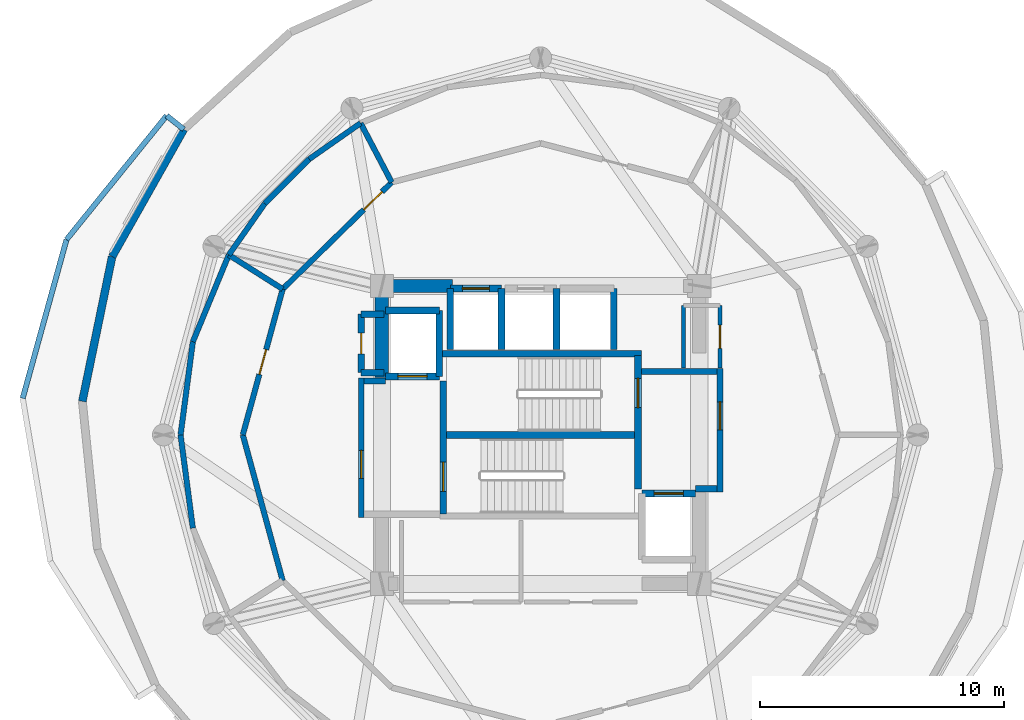
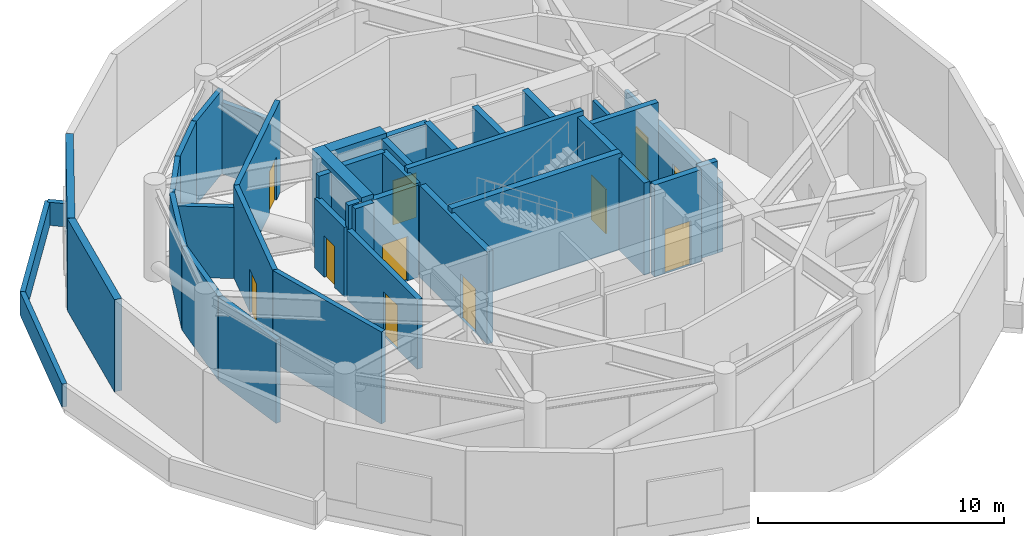
# One storey, part 3 of 7: 41 walls, 11 doors, 11 openings.
"""IFC4 building model written with IfcOpenShell, lengths in metres."""

import ifcopenshell
import ifcopenshell.guid

model = None  # the IFC model being written
_history = None  # IfcOwnerHistory: only IFC2X3 demands one
_inside = {}  # id of a spatial element -> (the spatial element, [elements in it])
_under = {}  # id of a project, library or spatial element -> (it, [spatial elements below it])
_declared = {}  # id of a project -> (the project, [libraries it declares])
_typed = {}  # id of a type object -> (the type object, [elements of that type])
_made_of = {}  # id of a material, layer set ... -> (it, [elements and type objects made of it])


def new_model(schema):
    """Start an empty IFC model of exactly this schema.

    Asked for "IFC4X3", IfcOpenShell would pick the latest addendum, in which some entities
    have other attributes; the version numbers below select the first issue.
    IFC2X3 requires an IfcOwnerHistory on every rooted entity: one is made here for all.
    """
    global model, _history
    if schema == "IFC4X3":
        model = ifcopenshell.file(schema_version=(4, 3, 0, 0))
    else:
        model = ifcopenshell.file(schema=schema)
    _inside.clear()
    _under.clear()
    _declared.clear()
    _typed.clear()
    _made_of.clear()
    _history = None
    if model.schema == "IFC2X3":
        org = make("IfcOrganization", Name="unknown")
        user = make(
            "IfcPersonAndOrganization",
            ThePerson=make("IfcPerson", FamilyName="unknown"),
            TheOrganization=org,
        )
        app = make(
            "IfcApplication",
            ApplicationDeveloper=org,
            Version="unknown",
            ApplicationFullName="unknown",
            ApplicationIdentifier="unknown",
        )
        _history = make(
            "IfcOwnerHistory",
            OwningUser=user,
            OwningApplication=app,
            ChangeAction="ADDED",
            CreationDate=0,
        )
    return model


def make(cls, **values):
    """One entity of the class cls with the attributes given. An attribute that is None is left unset."""
    return model.create_entity(
        cls, **{name: value for name, value in values.items() if value is not None}
    )


def rooted(cls, **values):
    """An entity with a GlobalId (a new one), such as an element, a storey or a relation."""
    return make(cls, GlobalId=ifcopenshell.guid.new(), OwnerHistory=_history, **values)


def si_unit(unit_type, name, prefix=None):
    """IfcSIUnit, for example si_unit("LENGTHUNIT", "METRE", prefix="MILLI")."""
    return make("IfcSIUnit", UnitType=unit_type, Prefix=prefix, Name=name)


def assignment(units):
    """IfcUnitAssignment: the units of a project."""
    return None if units is None else make("IfcUnitAssignment", Units=units)


def point(xyz):
    """IfcCartesianPoint."""
    return None if xyz is None else make("IfcCartesianPoint", Coordinates=xyz)


def direction(xyz):
    """IfcDirection."""
    return None if xyz is None else make("IfcDirection", DirectionRatios=xyz)


def frame(location, z_axis=None, x_axis=None):
    """IfcAxis2Placement3D, a coordinate frame: its origin and axes. An axis left out is left unset."""
    return make(
        "IfcAxis2Placement3D",
        Location=point(location),
        Axis=direction(z_axis),
        RefDirection=direction(x_axis),
    )


def frame_2d(location, x_axis=None):
    """IfcAxis2Placement2D, a coordinate frame in the plane: its origin and x axis."""
    return make(
        "IfcAxis2Placement2D", Location=point(location), RefDirection=direction(x_axis)
    )


def origin():
    """The frame at (0, 0, 0) with its axes left unset."""
    return frame((0.0, 0.0, 0.0))


def place(relative_to, where):
    """IfcLocalPlacement: puts the frame where relative to a parent placement (None: the world)."""
    return make(
        "IfcLocalPlacement", PlacementRelTo=relative_to, RelativePlacement=where
    )


def context(
    kind, dimensions, precision=None, world=None, true_north=None, identifier=None
):
    """IfcGeometricRepresentationContext, for example the 3D "Model" context."""
    return make(
        "IfcGeometricRepresentationContext",
        ContextIdentifier=identifier,
        ContextType=kind,
        CoordinateSpaceDimension=dimensions,
        Precision=precision,
        WorldCoordinateSystem=world,
        TrueNorth=true_north,
    )


def subcontext(parent, identifier, kind, view, scale=None):
    """IfcGeometricRepresentationSubContext, for example "Body" below "Model"."""
    return make(
        "IfcGeometricRepresentationSubContext",
        ContextIdentifier=identifier,
        ContextType=kind,
        ParentContext=parent,
        TargetScale=scale,
        TargetView=view,
    )


def project(units=None, contexts=None):
    """IfcProject with its units and contexts."""
    return rooted(
        "IfcProject",
        Name="project",
        RepresentationContexts=contexts,
        UnitsInContext=assignment(units),
    )


def spatial(cls, under=None, at=None, **own):
    """A site, building, storey or space (cls), placed at a placement, below another one or the project."""
    s = rooted(cls, ObjectPlacement=at, **own)
    if under is not None:
        _under.setdefault(under.id(), (under, []))[1].append(s)
    return s


def profile(cls, at=None, kind="AREA", **sizes):
    """A parametric profile (cls). Its sizes go by their IFC names, for example OverallWidth=200.0."""
    return make(cls, ProfileType=kind, Position=at, **sizes)


def rectangle(**sizes):
    """IfcRectangleProfileDef."""
    return profile("IfcRectangleProfileDef", **sizes)


def extrude(swept, where, along, depth):
    """IfcExtrudedAreaSolid: the profile swept, set in the frame where, extruded along a direction by depth."""
    return make(
        "IfcExtrudedAreaSolid",
        SweptArea=swept,
        Position=where,
        ExtrudedDirection=direction(along),
        Depth=depth,
    )


def shape(context_of_items, identifier, shape_type, items):
    """IfcShapeRepresentation: the items that make up one representation, for example the "Body"."""
    return make(
        "IfcShapeRepresentation",
        ContextOfItems=context_of_items,
        RepresentationIdentifier=identifier,
        RepresentationType=shape_type,
        Items=items,
    )


def material(Name=None, Category=None):
    """IfcMaterial."""
    return make("IfcMaterial", Name=Name, Category=Category)


def layer(
    of_material, thickness, ventilated=None, Name=None, Category=None, Priority=None
):
    """IfcMaterialLayer: one layer of a wall or slab, of a material (None: an air gap)."""
    return make(
        "IfcMaterialLayer",
        Material=of_material,
        LayerThickness=thickness,
        IsVentilated=ventilated,
        Name=Name,
        Category=Category,
        Priority=Priority,
    )


def layer_set(layers, Name=None):
    """IfcMaterialLayerSet."""
    return make("IfcMaterialLayerSet", MaterialLayers=layers, LayerSetName=Name)


def made_of(thing, what):
    """Note that an element or type object is made of a material, layer set ...; save() writes the relation."""
    if what is not None:
        _made_of.setdefault(what.id(), (what, []))[1].append(thing)
    return thing


def type_object(cls, material=None, **own):
    """A type object (cls), such as IfcWallType, which elements share."""
    return made_of(rooted(cls, **own), material)


def element(
    cls,
    number,
    at=None,
    inside=None,
    cuts=None,
    type_object=None,
    material=None,
    context=None,
    identifier="Body",
    shape_type=None,
    held_by="IfcProductDefinitionShape",
    body=None,
    shapes=None,
    **own,
):
    """One element of the class cls, such as IfcWall. Its Tag is "e" and its number.

    at: its placement. inside: the storey or other place that contains it. cuts: it is an
    opening in that element (IfcRelVoidsElement). A single representation is given by context,
    identifier, shape_type and body (its items); several are given by shapes. held_by: the class
    of the entity that holds the representations. save() writes the other relations.
    """
    e = rooted(cls, Tag="e%d" % number, ObjectPlacement=at, **own)
    if body is not None:
        shapes = [shape(context, identifier, shape_type, body)]
    if shapes is not None:
        e.Representation = make(held_by, Representations=shapes)
    if inside is not None:
        _inside.setdefault(inside.id(), (inside, []))[1].append(e)
    if cuts is not None:
        rooted(
            "IfcRelVoidsElement", RelatingBuildingElement=cuts, RelatedOpeningElement=e
        )
    if type_object is not None:
        _typed.setdefault(type_object.id(), (type_object, []))[1].append(e)
    return made_of(e, material)


def fill(opening, filler):
    """IfcRelFillsElement: the door or window that sits in an opening."""
    return rooted(
        "IfcRelFillsElement",
        RelatingOpeningElement=opening,
        RelatedBuildingElement=filler,
    )


def aggregate(whole, parts):
    """IfcRelAggregates: a whole, such as a stair, and the parts it consists of."""
    return rooted("IfcRelAggregates", RelatingObject=whole, RelatedObjects=parts)


def save(model, path):
    """Write the relations noted so far, then the file.

    IfcRelAggregates (storeys below a building ...), IfcRelContainedInSpatialStructure (elements
    in a storey), IfcRelDefinesByType, IfcRelAssociatesMaterial and IfcRelDeclares: one each for
    every whole, place, type object, material and project.
    """
    for whole, parts in _under.values():
        aggregate(whole, parts)
    for where, things in _inside.values():
        rooted(
            "IfcRelContainedInSpatialStructure",
            RelatedElements=things,
            RelatingStructure=where,
        )
    for kind, things in _typed.values():
        rooted("IfcRelDefinesByType", RelatedObjects=things, RelatingType=kind)
    for what, things in _made_of.values():
        rooted("IfcRelAssociatesMaterial", RelatedObjects=things, RelatingMaterial=what)
    for by, libraries in _declared.values():
        rooted("IfcRelDeclares", RelatingContext=by, RelatedDefinitions=libraries)
    model.write(path)


model = new_model("IFC4")

# Units and contexts
model_context = context("Model", 3, precision=1e-05, world=origin(), true_north=direction((0.0, 1.0)))
body_context = subcontext(model_context, "Body", "Model", "MODEL_VIEW")
ifc_project = project(units=[si_unit("LENGTHUNIT", "METRE"), si_unit("AREAUNIT", "SQUARE_METRE"), si_unit("VOLUMEUNIT", "CUBIC_METRE"), si_unit("PLANEANGLEUNIT", "RADIAN"), si_unit("MASSUNIT", "GRAM", prefix="KILO")], contexts=[model_context])

# Site, building, storey
site_placement = place(None, origin())
site = spatial("IfcSite", under=ifc_project, at=site_placement, CompositionType="ELEMENT")
building_placement = place(site_placement, origin())
building = spatial("IfcBuilding", under=site, at=building_placement, Name="Solvirekh Grand Hotel", CompositionType="ELEMENT")
storey_placement = place(building_placement, frame((0.0, 0.0, 234.39990234375)))
storey = spatial("IfcBuildingStorey", under=building, at=storey_placement, Name="L61", CompositionType="ELEMENT", Elevation=234.39990234375)

# Wall
ifc_material_1 = material(Name="Concrete C50/60", Category="concrete")
ifc_layer_1 = layer(ifc_material_1, 0.35009765625)
ifc_layer_set_1 = layer_set([ifc_layer_1], Name="Concrete C50/60")
wall_type_1 = type_object("IfcWallType", Name="CoreDivWall_RC350", PredefinedType="SOLIDWALL", material=ifc_layer_set_1)
wall_1_placement = place(storey_placement, frame((-4.1298828125, 3.324951171875, 0.0), z_axis=(0.0, 0.0, 1.0), x_axis=(1.0, 0.0, 0.0)))
element("IfcWall", 1, at=wall_1_placement, inside=storey, type_object=wall_type_1, Name="L61 core stair box wall ST-N", PredefinedType="SOLIDWALL", context=body_context, shape_type="SweptSolid", body=[
    extrude(rectangle(XDim=8.259765625, YDim=0.25, at=frame_2d((4.1298828125, 0.0))), origin(), (0.0, 0.0, 1.0), 4.800048828125),
])

# Wall, opening, door
ifc_material_2 = material(Name="Concrete C40/50", Category="concrete")
ifc_layer_2 = layer(ifc_material_2, 0.280029296875)
ifc_layer_set_2 = layer_set([ifc_layer_2], Name="Concrete C40/50")
wall_type_2 = type_object("IfcWallType", Name="CoreShaftWall_RC280", PredefinedType="SOLIDWALL", material=ifc_layer_set_2)
wall_2_placement = place(storey_placement, frame((-1.60009765625, 6.0, 0.0), z_axis=(0.0, 0.0, 1.0), x_axis=(-1.0, 0.0, 0.0)))
wall_2 = element("IfcWall", 2, at=wall_2_placement, inside=storey, type_object=wall_type_2, Name="L61 HP-1 hoistway N wall", PredefinedType="SOLIDWALL", context=body_context, shape_type="SweptSolid", body=[
    extrude(rectangle(XDim=2.099853515625, YDim=0.280029296875, at=frame_2d((1.0498046875, 0.0))), origin(), (0.0, 0.0, 1.0), 4.570068359375),
])
opening_1_placement = place(wall_2_placement, frame((0.5, 0.0, 0.0)))
opening_1 = element("IfcOpeningElement", 3, at=opening_1_placement, cuts=wall_2, Name="Opening LD01", PredefinedType="OPENING", context=body_context, shape_type="SweptSolid", body=[
    extrude(rectangle(XDim=1.10009765625, YDim=2.199951171875, at=frame_2d((0.550048828125, 1.10009765625))), frame((0.0, 0.14990234375, 0.0), z_axis=(0.0, -1.0, 0.0), x_axis=(1.0, 0.0, 0.0)), (0.0, 0.0, 1.0), 0.300048828125),
])
ifc_material_3 = material(Name="Fire-Rated Steel Door Assembly", Category="steel")
door_type_1 = type_object("IfcDoorType", Name="Door_LiftLanding_1100X2200", OperationType="SLIDING_TO_LEFT", PredefinedType="DOOR", material=ifc_material_3)
door_1_placement = place(opening_1_placement, origin())
door_1 = element("IfcDoor", 4, at=door_1_placement, inside=storey, type_object=door_type_1, Name="L61 HP-1 sliding lift landing door", OperationType="SLIDING_TO_LEFT", OverallHeight=2.199951171875, OverallWidth=1.10009765625, PredefinedType="DOOR", context=body_context, shape_type="SweptSolid", body=[
    extrude(rectangle(XDim=1.10009765625, YDim=2.199951171875, at=frame_2d((0.550048828125, 1.10009765625))), frame((0.0, 0.02490234375, 0.0), z_axis=(0.0, -1.0, 0.0), x_axis=(1.0, 0.0, 0.0)), (0.0, 0.0, 1.0), 0.050048828125),
])
fill(opening_1, door_1)

# Walls
for number, where, z_axis, x_axis, name in (
    (5, (-3.699951171875, 6.0, 0.0), (0.0, 0.0, 1.0), (0.0, -1.0, 0.0), "L61 HP-1 hoistway W wall"),
    (6, (-1.60009765625, 3.5, 0.0), (0.0, 0.0, 1.0), (0.0, 1.0, 0.0), "L61 HP-1 hoistway E wall"),
    (7, (0.64990234375, 3.5, 0.0), (0.0, 0.0, 1.0), (0.0, 1.0, 0.0), "L61 HP-2 hoistway E wall"),
    (8, (3.0, 3.5, 0.0), (0.0, 0.0, 1.0), (0.0, 1.0, 0.0), "L61 EX-1 hoistway E wall"),
):
    element("IfcWall", number, at=place(storey_placement, frame(where, z_axis=z_axis, x_axis=x_axis)), inside=storey, type_object=wall_type_2, Name=name, PredefinedType="SOLIDWALL", context=body_context, shape_type="SweptSolid", body=[
        extrude(rectangle(XDim=2.5, YDim=0.280029296875, at=frame_2d((1.25, 0.0))), origin(), (0.0, 0.0, 1.0), 4.570068359375),
    ])

# Wall, opening, door
wall_3_placement = place(storey_placement, frame((-6.35009765625, 2.39990234375, 0.0), z_axis=(0.0, 0.0, 1.0), x_axis=(1.0, 0.0, 0.0)))
wall_3 = element("IfcWall", 9, at=wall_3_placement, inside=storey, type_object=wall_type_2, Name="L61 FL-1 hoistway S wall", PredefinedType="SOLIDWALL", context=body_context, shape_type="SweptSolid", body=[
    extrude(rectangle(XDim=2.2001953125, YDim=0.280029296875, at=frame_2d((1.10009765625, 0.0))), origin(), (0.0, 0.0, 1.0), 4.570068359375),
])
opening_2_placement = place(wall_3_placement, frame((0.5, 0.0, 0.0)))
opening_2 = element("IfcOpeningElement", 10, at=opening_2_placement, cuts=wall_3, Name="Opening LD02", PredefinedType="OPENING", context=body_context, shape_type="SweptSolid", body=[
    extrude(rectangle(XDim=1.199951171875, YDim=2.199951171875, at=frame_2d((0.60009765625, 1.10009765625))), frame((0.0, 0.14990234375, 0.0), z_axis=(0.0, -1.0, 0.0), x_axis=(1.0, 0.0, 0.0)), (0.0, 0.0, 1.0), 0.300048828125),
])
door_type_2 = type_object("IfcDoorType", Name="Door_LiftFF_1200X2200", OperationType="SLIDING_TO_LEFT", PredefinedType="DOOR", material=ifc_material_3)
door_2_placement = place(opening_2_placement, origin())
door_2 = element("IfcDoor", 11, at=door_2_placement, inside=storey, type_object=door_type_2, Name="L61 FL-1 sliding lift landing door", OperationType="SLIDING_TO_LEFT", OverallHeight=2.199951171875, OverallWidth=1.199951171875, PredefinedType="DOOR", context=body_context, shape_type="SweptSolid", body=[
    extrude(rectangle(XDim=1.199951171875, YDim=2.199951171875, at=frame_2d((0.60009765625, 1.10009765625))), frame((0.0, 0.02490234375, 0.0), z_axis=(0.0, -1.0, 0.0), x_axis=(1.0, 0.0, 0.0)), (0.0, 0.0, 1.0), 0.050048828125),
])
fill(opening_2, door_2)

# Walls
wall_4_placement = place(storey_placement, frame((-4.14990234375, 5.10009765625, 0.0), z_axis=(0.0, 0.0, 1.0), x_axis=(-1.0, 0.0, 0.0)))
element("IfcWall", 12, at=wall_4_placement, inside=storey, type_object=wall_type_2, Name="L61 FL-1 hoistway N wall", PredefinedType="SOLIDWALL", context=body_context, shape_type="SweptSolid", body=[
    extrude(rectangle(XDim=2.2001953125, YDim=0.280029296875, at=frame_2d((1.10009765625, 0.0))), origin(), (0.0, 0.0, 1.0), 4.570068359375),
])
wall_5_placement = place(storey_placement, frame((-4.14990234375, 2.39990234375, 0.0), z_axis=(0.0, 0.0, 1.0), x_axis=(0.0, 1.0, 0.0)))
element("IfcWall", 13, at=wall_5_placement, inside=storey, type_object=wall_type_2, Name="L61 FL-1 hoistway E wall", PredefinedType="SOLIDWALL", context=body_context, shape_type="SweptSolid", body=[
    extrude(rectangle(XDim=2.7001953125, YDim=0.280029296875, at=frame_2d((1.35009765625, 0.0))), origin(), (0.0, 0.0, 1.0), 4.570068359375),
])

# Wall, opening, door
wall_6_placement = place(storey_placement, frame((6.35009765625, -2.39990234375, 0.0), z_axis=(0.0, 0.0, 1.0), x_axis=(-1.0, 0.0, 0.0)))
wall_6 = element("IfcWall", 14, at=wall_6_placement, inside=storey, type_object=wall_type_2, Name="L61 FL-2 hoistway N wall", PredefinedType="SOLIDWALL", context=body_context, shape_type="SweptSolid", body=[
    extrude(rectangle(XDim=2.2001953125, YDim=0.280029296875, at=frame_2d((1.10009765625, 0.0))), origin(), (0.0, 0.0, 1.0), 4.570068359375),
])
opening_3_placement = place(wall_6_placement, frame((0.5, 0.0, 0.0)))
opening_3 = element("IfcOpeningElement", 15, at=opening_3_placement, cuts=wall_6, Name="Opening LD02", PredefinedType="OPENING", context=body_context, shape_type="SweptSolid", body=[
    extrude(rectangle(XDim=1.199951171875, YDim=2.199951171875, at=frame_2d((0.60009765625, 1.10009765625))), frame((0.0, 0.14990234375, 0.0), z_axis=(0.0, -1.0, 0.0), x_axis=(1.0, 0.0, 0.0)), (0.0, 0.0, 1.0), 0.300048828125),
])
door_3_placement = place(opening_3_placement, origin())
door_3 = element("IfcDoor", 16, at=door_3_placement, inside=storey, type_object=door_type_2, Name="L61 FL-2 sliding lift landing door", OperationType="SLIDING_TO_LEFT", OverallHeight=2.199951171875, OverallWidth=1.199951171875, PredefinedType="DOOR", context=body_context, shape_type="SweptSolid", body=[
    extrude(rectangle(XDim=1.199951171875, YDim=2.199951171875, at=frame_2d((0.60009765625, 1.10009765625))), frame((0.0, 0.02490234375, 0.0), z_axis=(0.0, -1.0, 0.0), x_axis=(1.0, 0.0, 0.0)), (0.0, 0.0, 1.0), 0.050048828125),
])
fill(opening_3, door_3)

wall_7_placement = place(storey_placement, frame((-3.989990234375, -3.25, 0.0), z_axis=(0.0, 0.0, 1.0), x_axis=(0.0, 1.0, 0.0)))
wall_7 = element("IfcWall", 17, at=wall_7_placement, inside=storey, type_object=wall_type_2, Name="L61 west stair landing enclosure wall", PredefinedType="SOLIDWALL", context=body_context, shape_type="SweptSolid", body=[
    extrude(rectangle(XDim=5.4599609375, YDim=0.280029296875, at=frame_2d((2.72998046875, 0.0))), origin(), (0.0, 0.0, 1.0), 4.570068359375),
])
opening_4_placement = place(wall_7_placement, frame((0.93701171875, 0.0, 0.0)))
opening_4 = element("IfcOpeningElement", 18, at=opening_4_placement, cuts=wall_7, Name="Opening D05", PredefinedType="OPENING", context=body_context, shape_type="SweptSolid", body=[
    extrude(rectangle(XDim=1.199951171875, YDim=2.199951171875, at=frame_2d((0.60009765625, 1.10009765625))), frame((0.0, 0.14990234375, 0.0), z_axis=(0.0, -1.0, 0.0), x_axis=(1.0, 0.0, 0.0)), (0.0, 0.0, 1.0), 0.300048828125),
])
door_type_3 = type_object("IfcDoorType", Name="Door_StairCore_1200X2200", OperationType="NOTDEFINED", PredefinedType="DOOR", material=ifc_material_3)
door_4_placement = place(opening_4_placement, origin())
door_4 = element("IfcDoor", 19, at=door_4_placement, inside=storey, type_object=door_type_3, Name="L61 exit stair ST-1 fire door", OperationType="SINGLE_SWING_RIGHT", OverallHeight=2.199951171875, OverallWidth=1.199951171875, PredefinedType="DOOR", context=body_context, shape_type="SweptSolid", body=[
    extrude(rectangle(XDim=1.199951171875, YDim=2.199951171875, at=frame_2d((0.60009765625, 1.10009765625))), frame((0.0, 0.02490234375, 0.0), z_axis=(0.0, -1.0, 0.0), x_axis=(1.0, 0.0, 0.0)), (0.0, 0.0, 1.0), 0.050048828125),
])
fill(opening_4, door_4)

wall_8_placement = place(storey_placement, frame((3.989990234375, -2.2099609375, 0.0), z_axis=(0.0, 0.0, 1.0), x_axis=(0.0, 1.0, 0.0)))
wall_8 = element("IfcWall", 20, at=wall_8_placement, inside=storey, type_object=wall_type_2, Name="L61 east stair landing enclosure wall", PredefinedType="SOLIDWALL", context=body_context, shape_type="SweptSolid", body=[
    extrude(rectangle(XDim=5.4599609375, YDim=0.280029296875, at=frame_2d((2.72998046875, 0.0))), origin(), (0.0, 0.0, 1.0), 4.570068359375),
])
opening_5_placement = place(wall_8_placement, frame((3.322998046875, 0.0, 0.0)))
opening_5 = element("IfcOpeningElement", 21, at=opening_5_placement, cuts=wall_8, Name="Opening D05", PredefinedType="OPENING", context=body_context, shape_type="SweptSolid", body=[
    extrude(rectangle(XDim=1.199951171875, YDim=2.199951171875, at=frame_2d((0.60009765625, 1.10009765625))), frame((0.0, 0.14990234375, 0.0), z_axis=(0.0, -1.0, 0.0), x_axis=(1.0, 0.0, 0.0)), (0.0, 0.0, 1.0), 0.300048828125),
])
door_5_placement = place(opening_5_placement, origin())
door_5 = element("IfcDoor", 22, at=door_5_placement, inside=storey, type_object=door_type_3, Name="L61 exit stair ST-2 fire door", OperationType="SINGLE_SWING_LEFT", OverallHeight=2.199951171875, OverallWidth=1.199951171875, PredefinedType="DOOR", context=body_context, shape_type="SweptSolid", body=[
    extrude(rectangle(XDim=1.199951171875, YDim=2.199951171875, at=frame_2d((0.60009765625, 1.10009765625))), frame((0.0, 0.02490234375, 0.0), z_axis=(0.0, -1.0, 0.0), x_axis=(1.0, 0.0, 0.0)), (0.0, 0.0, 1.0), 0.050048828125),
])
fill(opening_5, door_5)

# Walls
ifc_layer_3 = layer(ifc_material_1, 0.550048828125)
ifc_layer_set_3 = layer_set([ifc_layer_3], Name="Concrete C50/60")
wall_type_3 = type_object("IfcWallType", Name="CoreWall_RC550", PredefinedType="SHEAR", material=ifc_layer_set_3)
wall_9_placement = place(storey_placement, frame((-3.989990234375, 0.0, 0.0), z_axis=(0.0, 0.0, 1.0), x_axis=(1.0, 0.0, 0.0)))
element("IfcWall", 23, at=wall_9_placement, inside=storey, type_object=wall_type_3, Name="L61 central stair-spine shear wall", PredefinedType="SHEAR", context=body_context, shape_type="SweptSolid", body=[
    extrude(rectangle(XDim=7.97998046875, YDim=0.300048828125, at=frame_2d((3.989990234375, 0.0))), origin(), (0.0, 0.0, 1.0), 4.800048828125),
])
wall_10_placement = place(storey_placement, frame((-6.22509765625, 6.10009765625, 0.0), z_axis=(0.0, 0.0, 1.0), x_axis=(1.0, 0.0, 0.0)))
element("IfcWall", 24, at=wall_10_placement, inside=storey, type_object=wall_type_3, Name="L61 core corner shear wall NW-N", PredefinedType="SHEAR", context=body_context, shape_type="SweptSolid", body=[
    extrude(rectangle(XDim=2.625, YDim=0.550048828125, at=frame_2d((1.3125, 0.0))), origin(), (0.0, 0.0, 1.0), 4.800048828125),
])
wall_11_placement = place(storey_placement, frame((-6.5, 2.35009765625, 0.0), z_axis=(0.0, 0.0, 1.0), x_axis=(0.0, 1.0, 0.0)))
element("IfcWall", 25, at=wall_11_placement, inside=storey, type_object=wall_type_3, Name="L61 core corner shear wall WN-W", PredefinedType="SHEAR", context=body_context, shape_type="SweptSolid", body=[
    extrude(rectangle(XDim=4.02490234375, YDim=0.550048828125, at=frame_2d((2.012451171875, 0.0))), origin(), (0.0, 0.0, 1.0), 4.800048828125),
])
ifc_material_4 = material(Name="Precast concrete C45/55", Category="concrete")
ifc_layer_4 = layer(ifc_material_4, 0.320068359375)
ifc_layer_set_4 = layer_set([ifc_layer_4], Name="Precast concrete C45/55")
wall_type_4 = type_object("IfcWallType", Name="ExtLobbyWall_RC320", PredefinedType="SOLIDWALL", material=ifc_layer_set_4)
wall_12_placement = place(storey_placement, frame((-17.552978515625, 7.304931640625, 0.0), z_axis=(0.0, 0.0, 1.0), x_axis=(0.490778308743, 0.871284483775, 0.0)))
element("IfcWall", 26, at=wall_12_placement, inside=storey, type_object=wall_type_4, Name="L61 exterior structural wall chord 13", PredefinedType="SOLIDWALL", context=body_context, shape_type="SweptSolid", body=[
    extrude(rectangle(XDim=5.984375, YDim=0.320068359375, at=frame_2d((2.9921875, 0.0))), origin(), (0.0, 0.0, 1.0), 4.570068359375),
])
wall_13_placement = place(storey_placement, frame((-18.77294921875, 1.3759765625, 0.0), z_axis=(0.0, 0.0, 1.0), x_axis=(0.201542531619, 0.97947976393, 0.0)))
element("IfcWall", 27, at=wall_13_placement, inside=storey, type_object=wall_type_4, Name="L61 exterior structural wall chord 14", PredefinedType="SOLIDWALL", context=body_context, shape_type="SweptSolid", body=[
    extrude(rectangle(XDim=6.05322265625, YDim=0.320068359375, at=frame_2d((3.026611328125, 0.0))), origin(), (0.0, 0.0, 1.0), 4.570068359375),
])
ifc_layer_5 = layer(ifc_material_4, 0.219970703125)
ifc_layer_set_5 = layer_set([ifc_layer_5], Name="Precast concrete C45/55")
wall_type_5 = type_object("IfcWallType", Name="ExtParapet_RC220", PredefinedType="PARAPET", material=ifc_layer_set_5)
wall_14_placement = place(storey_placement, frame((-14.615966796875, 12.51904296875, 0.0), z_axis=(0.0, 0.0, 1.0), x_axis=(-0.782613072671, 0.622508456556, 0.0)))
element("IfcWall", 28, at=wall_14_placement, inside=storey, type_object=wall_type_5, Name="L61 mechanical setback parapet terr 1", PredefinedType="PARAPET", context=body_context, shape_type="SweptSolid", body=[
    extrude(rectangle(XDim=0.899658203125, YDim=0.219970703125, at=frame_2d((0.44970703125, 0.0))), origin(), (0.0, 0.0, 1.0), 1.150146484375),
])
wall_15_placement = place(storey_placement, frame((-15.320068359375, 13.0791015625, 0.0), z_axis=(0.0, 0.0, 1.0), x_axis=(-0.628546016029, -0.777772399699, 0.0)))
element("IfcWall", 29, at=wall_15_placement, inside=storey, type_object=wall_type_5, Name="L61 mechanical setback parapet terr 2", PredefinedType="PARAPET", context=body_context, shape_type="SweptSolid", body=[
    extrude(rectangle(XDim=6.52783203125, YDim=0.219970703125, at=frame_2d((3.263916015625, 0.0))), origin(), (0.0, 0.0, 1.0), 1.150146484375),
])
wall_16_placement = place(storey_placement, frame((-19.423095703125, 8.001953125, 0.0), z_axis=(0.0, 0.0, 1.0), x_axis=(-0.266299994517, -0.963890197544, 0.0)))
element("IfcWall", 30, at=wall_16_placement, inside=storey, type_object=wall_type_5, Name="L61 mechanical setback parapet terr 3", PredefinedType="PARAPET", context=body_context, shape_type="SweptSolid", body=[
    extrude(rectangle(XDim=6.74755859375, YDim=0.219970703125, at=frame_2d((3.373779296875, 0.0))), origin(), (0.0, 0.0, 1.0), 1.150146484375),
])

# Wall, opening, door
ifc_material_5 = material(Name="Acoustic Gypsum Partition Assembly")
ifc_layer_6 = layer(ifc_material_5, 0.1650390625)
ifc_layer_set_6 = layer_set([ifc_layer_6], Name="Acoustic Gypsum Partition Assembly")
wall_type_6 = type_object("IfcWallType", Name="Part_BOH_165", PredefinedType="PARTITIONING", material=ifc_layer_set_6)
wall_17_placement = place(storey_placement, frame((7.35009765625, 2.75, 0.0), z_axis=(0.0, 0.0, 1.0), x_axis=(0.0, 1.0, 0.0)))
wall_17 = element("IfcWall", 31, at=wall_17_placement, inside=storey, type_object=wall_type_6, Name="L61 L61 Core Housekeeping & Linen Room wall 2", PredefinedType="PARTITIONING", context=body_context, shape_type="SweptSolid", body=[
    extrude(rectangle(XDim=2.550048828125, YDim=0.1650390625, at=frame_2d((1.27490234375, 0.0))), origin(), (0.0, 0.0, 1.0), 3.455078125),
])
opening_6_placement = place(wall_17_placement, frame((0.800048828125, 0.0, 0.0)))
opening_6 = element("IfcOpeningElement", 32, at=opening_6_placement, cuts=wall_17, Name="Opening D10", PredefinedType="OPENING", context=body_context, shape_type="SweptSolid", body=[
    extrude(rectangle(XDim=0.949951171875, YDim=2.10009765625, at=frame_2d((0.47509765625, 1.050048828125))), frame((0.0, 0.092529296875, 0.0), z_axis=(0.0, -1.0, 0.0), x_axis=(1.0, 0.0, 0.0)), (0.0, 0.0, 1.0), 0.18505859375),
])
ifc_material_6 = material(Name="Anodized Bronze Aluminium 6063-T6", Category="aluminium")
door_type_4 = type_object("IfcDoorType", Name="Door_RoomInt_950X2100", OperationType="NOTDEFINED", PredefinedType="DOOR", material=ifc_material_6)
door_6_placement = place(opening_6_placement, origin())
door_6 = element("IfcDoor", 33, at=door_6_placement, inside=storey, type_object=door_type_4, Name="L61 L61 Core Housekeeping & Linen Room door", OperationType="SINGLE_SWING_LEFT", OverallHeight=2.10009765625, OverallWidth=0.949951171875, PredefinedType="DOOR", context=body_context, shape_type="SweptSolid", body=[
    extrude(rectangle(XDim=0.949951171875, YDim=2.10009765625, at=frame_2d((0.47509765625, 1.050048828125))), frame((0.0, 0.02490234375, 0.0), z_axis=(0.0, -1.0, 0.0), x_axis=(1.0, 0.0, 0.0)), (0.0, 0.0, 1.0), 0.050048828125),
])
fill(opening_6, door_6)

# Wall
wall_18_placement = place(storey_placement, frame((5.85009765625, 5.300048828125, 0.0), z_axis=(0.0, 0.0, 1.0), x_axis=(0.0, -1.0, 0.0)))
element("IfcWall", 34, at=wall_18_placement, inside=storey, type_object=wall_type_6, Name="L61 L61 Core Housekeeping & Linen Room wall 4", PredefinedType="PARTITIONING", context=body_context, shape_type="SweptSolid", body=[
    extrude(rectangle(XDim=2.550048828125, YDim=0.1650390625, at=frame_2d((1.27490234375, 0.0))), origin(), (0.0, 0.0, 1.0), 3.455078125),
])

# Wall, opening, door
ifc_layer_7 = layer(ifc_material_5, 0.239990234375)
ifc_layer_set_7 = layer_set([ifc_layer_7], Name="Acoustic Gypsum Partition Assembly")
wall_type_7 = type_object("IfcWallType", Name="Part_Corridor_240", PredefinedType="PARTITIONING", material=ifc_layer_set_7)
wall_19_placement = place(storey_placement, frame((-7.35009765625, -3.3798828125, 0.0), z_axis=(0.0, 0.0, 1.0), x_axis=(0.0, 1.0, 0.0)))
wall_19 = element("IfcWall", 35, at=wall_19_placement, inside=storey, type_object=wall_type_7, Name="L61 west firefighting lobby smoke screen wall", PredefinedType="PARTITIONING", context=body_context, shape_type="SweptSolid", body=[
    extrude(rectangle(XDim=5.719970703125, YDim=0.239990234375, at=frame_2d((2.85986328125, 0.0))), origin(), (0.0, 0.0, 1.0), 3.455078125),
])
opening_7_placement = place(wall_19_placement, frame((1.59912109375, 0.0, 0.0)))
opening_7 = element("IfcOpeningElement", 36, at=opening_7_placement, cuts=wall_19, Name="Opening D06", PredefinedType="OPENING", context=body_context, shape_type="SweptSolid", body=[
    extrude(rectangle(XDim=1.14990234375, YDim=2.199951171875, at=frame_2d((0.574951171875, 1.10009765625))), frame((0.0, 0.1298828125, 0.0), z_axis=(0.0, -1.0, 0.0), x_axis=(1.0, 0.0, 0.0)), (0.0, 0.0, 1.0), 0.260009765625),
])
door_type_5 = type_object("IfcDoorType", Name="Door_FFLobby_1150X2200", OperationType="NOTDEFINED", PredefinedType="DOOR", material=ifc_material_3)
door_7_placement = place(opening_7_placement, origin())
door_7 = element("IfcDoor", 37, at=door_7_placement, inside=storey, type_object=door_type_5, Name="L61 west firefighting lobby smoke door", OperationType="SINGLE_SWING_RIGHT", OverallHeight=2.199951171875, OverallWidth=1.14990234375, PredefinedType="DOOR", context=body_context, shape_type="SweptSolid", body=[
    extrude(rectangle(XDim=1.14990234375, YDim=2.199951171875, at=frame_2d((0.574951171875, 1.10009765625))), frame((0.0, 0.02490234375, 0.0), z_axis=(0.0, -1.0, 0.0), x_axis=(1.0, 0.0, 0.0)), (0.0, 0.0, 1.0), 0.050048828125),
])
fill(opening_7, door_7)

wall_20_placement = place(storey_placement, frame((7.35009765625, -2.340087890625, 0.0), z_axis=(0.0, 0.0, 1.0), x_axis=(0.0, 1.0, 0.0)))
wall_20 = element("IfcWall", 38, at=wall_20_placement, inside=storey, type_object=wall_type_7, Name="L61 east firefighting lobby smoke screen wall", PredefinedType="PARTITIONING", context=body_context, shape_type="SweptSolid", body=[
    extrude(rectangle(XDim=5.070068359375, YDim=0.239990234375, at=frame_2d((2.53515625, 0.0))), origin(), (0.0, 0.0, 1.0), 3.455078125),
])
opening_8_placement = place(wall_20_placement, frame((2.548095703125, 0.0, 0.0)))
opening_8 = element("IfcOpeningElement", 39, at=opening_8_placement, cuts=wall_20, Name="Opening D06", PredefinedType="OPENING", context=body_context, shape_type="SweptSolid", body=[
    extrude(rectangle(XDim=1.14990234375, YDim=2.199951171875, at=frame_2d((0.574951171875, 1.10009765625))), frame((0.0, 0.1298828125, 0.0), z_axis=(0.0, -1.0, 0.0), x_axis=(1.0, 0.0, 0.0)), (0.0, 0.0, 1.0), 0.260009765625),
])
door_8_placement = place(opening_8_placement, origin())
door_8 = element("IfcDoor", 40, at=door_8_placement, inside=storey, type_object=door_type_5, Name="L61 east firefighting lobby smoke door", OperationType="SINGLE_SWING_LEFT", OverallHeight=2.199951171875, OverallWidth=1.14990234375, PredefinedType="DOOR", context=body_context, shape_type="SweptSolid", body=[
    extrude(rectangle(XDim=1.14990234375, YDim=2.199951171875, at=frame_2d((0.574951171875, 1.10009765625))), frame((0.0, 0.02490234375, 0.0), z_axis=(0.0, -1.0, 0.0), x_axis=(1.0, 0.0, 0.0)), (0.0, 0.0, 1.0), 0.050048828125),
])
fill(opening_8, door_8)

# Walls
ifc_layer_8 = layer(ifc_material_5, 0.260009765625)
ifc_layer_set_8 = layer_set([ifc_layer_8], Name="Acoustic Gypsum Partition Assembly")
wall_type_8 = type_object("IfcWallType", Name="Part_LobbyFF_260", PredefinedType="PARTITIONING", material=ifc_layer_set_8)
for number, where, z_axis, x_axis, name in (
    (41, (-7.22509765625, 2.2099609375, 0.0), (0.0, 0.0, 1.0), (1.0, 0.0, 0.0), "L61 west firefighting lobby NW cheek"),
    (42, (6.35009765625, -2.2099609375, 0.0), (0.0, 0.0, 1.0), (1.0, 0.0, 0.0), "L61 east firefighting lobby SE cheek"),
):
    element("IfcWall", number, at=place(storey_placement, frame(where, z_axis=z_axis, x_axis=x_axis)), inside=storey, type_object=wall_type_8, Name=name, PredefinedType="PARTITIONING", context=body_context, shape_type="SweptSolid", body=[
        extrude(rectangle(XDim=0.875, YDim=0.260009765625, at=frame_2d((0.4375, 0.0))), origin(), (0.0, 0.0, 1.0), 4.570068359375),
    ])
wall_21_placement = place(storey_placement, frame((4.1298828125, 2.60009765625, 0.0), z_axis=(0.0, 0.0, 1.0), x_axis=(1.0, 0.0, 0.0)))
element("IfcWall", 43, at=wall_21_placement, inside=storey, type_object=wall_type_8, Name="L61 east firefighting lobby north partition", PredefinedType="PARTITIONING", context=body_context, shape_type="SweptSolid", body=[
    extrude(rectangle(XDim=3.09521484375, YDim=0.260009765625, at=frame_2d((1.547607421875, 0.0))), origin(), (0.0, 0.0, 1.0), 4.570068359375),
])
for number, where, z_axis, x_axis, name in (
    (44, (-7.35009765625, 4.949951171875, 0.0), (0.0, 0.0, 1.0), (1.0, 0.0, 0.0), "L61 NW telecom metering cupboard north wall"),
    (45, (-7.35009765625, 2.550048828125, 0.0), (0.0, 0.0, 1.0), (1.0, 0.0, 0.0), "L61 NW telecom metering cupboard south wall"),
):
    element("IfcWall", number, at=place(storey_placement, frame(where, z_axis=z_axis, x_axis=x_axis)), inside=storey, type_object=wall_type_8, Name=name, PredefinedType="PARTITIONING", context=body_context, shape_type="SweptSolid", body=[
        extrude(rectangle(XDim=0.93017578125, YDim=0.260009765625, at=frame_2d((0.465087890625, 0.0))), origin(), (0.0, 0.0, 1.0), 4.570068359375),
    ])

# Wall, opening, door
wall_22_placement = place(storey_placement, frame((-7.35009765625, 2.550048828125, 0.0), z_axis=(0.0, 0.0, 1.0), x_axis=(0.0, 1.0, 0.0)))
wall_22 = element("IfcWall", 46, at=wall_22_placement, inside=storey, type_object=wall_type_8, Name="L61 NW telecom metering cupboard access wall", PredefinedType="PARTITIONING", context=body_context, shape_type="SweptSolid", body=[
    extrude(rectangle(XDim=2.39990234375, YDim=0.260009765625, at=frame_2d((1.199951171875, 0.0))), origin(), (0.0, 0.0, 1.0), 3.455078125),
])
opening_9_placement = place(wall_22_placement, frame((0.77490234375, 0.0, 0.0)))
opening_9 = element("IfcOpeningElement", 47, at=opening_9_placement, cuts=wall_22, Name="Opening D13", PredefinedType="OPENING", context=body_context, shape_type="SweptSolid", body=[
    extrude(rectangle(XDim=0.85009765625, YDim=2.050048828125, at=frame_2d((0.425048828125, 1.02490234375))), frame((0.0, 0.14013671875, 0.0), z_axis=(0.0, -1.0, 0.0), x_axis=(1.0, 0.0, 0.0)), (0.0, 0.0, 1.0), 0.280029296875),
])
door_type_6 = type_object("IfcDoorType", Name="Door_RiserShaft_850X2050", OperationType="NOTDEFINED", PredefinedType="DOOR", material=ifc_material_3)
door_9_placement = place(opening_9_placement, origin())
door_9 = element("IfcDoor", 48, at=door_9_placement, inside=storey, type_object=door_type_6, Name="L61 telecom metering cupboard access door", OperationType="SINGLE_SWING_RIGHT", OverallHeight=2.050048828125, OverallWidth=0.85009765625, PredefinedType="DOOR", context=body_context, shape_type="SweptSolid", body=[
    extrude(rectangle(XDim=0.85009765625, YDim=2.050048828125, at=frame_2d((0.425048828125, 1.02490234375))), frame((0.0, 0.02490234375, 0.0), z_axis=(0.0, -1.0, 0.0), x_axis=(1.0, 0.0, 0.0)), (0.0, 0.0, 1.0), 0.050048828125),
])
fill(opening_9, door_9)

# Walls
ifc_layer_9 = layer(ifc_material_4, 0.22509765625)
ifc_layer_set_9 = layer_set([ifc_layer_9], Name="Precast concrete C45/55")
wall_type_9 = type_object("IfcWallType", Name="Part_Plant_225", PredefinedType="PARTITIONING", material=ifc_layer_set_9)
wall_23_placement = place(storey_placement, frame((-6.10009765625, 10.34912109375, 0.0), z_axis=(0.0, 0.0, 1.0), x_axis=(-0.465371749497, 0.885115322865, 0.0)))
element("IfcWall", 49, at=wall_23_placement, inside=storey, type_object=wall_type_9, Name="L61 radial demising wall 5", PredefinedType="PARTITIONING", context=body_context, shape_type="SweptSolid", body=[
    extrude(rectangle(XDim=2.739501953125, YDim=0.22509765625, at=frame_2d((1.36962890625, 0.0))), origin(), (0.0, 0.0, 1.0), 3.533203125),
])
wall_24_placement = place(storey_placement, frame((-10.56591796875, 5.97509765625, 0.0), z_axis=(0.0, 0.0, 1.0), x_axis=(-0.844560080063, 0.53546080264, 0.0)))
element("IfcWall", 50, at=wall_24_placement, inside=storey, type_object=wall_type_9, Name="L61 radial demising wall 6", PredefinedType="PARTITIONING", context=body_context, shape_type="SweptSolid", body=[
    extrude(rectangle(XDim=2.614501953125, YDim=0.22509765625, at=frame_2d((1.30712890625, 0.0))), origin(), (0.0, 0.0, 1.0), 3.533203125),
])

# Wall, opening, door
wall_25_placement = place(storey_placement, frame((-6.10009765625, 10.34912109375, 0.0), z_axis=(0.0, 0.0, 1.0), x_axis=(-0.714411174131, -0.699726142342, 0.0)))
wall_25 = element("IfcWall", 51, at=wall_25_placement, inside=storey, type_object=wall_type_9, Name="L61 Booster Pump & Smoke-Extract Plant Room corridor wall", PredefinedType="PARTITIONING", context=body_context, shape_type="SweptSolid", body=[
    extrude(rectangle(XDim=6.2509765625, YDim=0.22509765625, at=frame_2d((3.12548828125, 0.0))), origin(), (0.0, 0.0, 1.0), 4.570068359375),
])
opening_10_placement = place(wall_25_placement, frame((0.550048828125, 0.0, 0.0)))
opening_10 = element("IfcOpeningElement", 52, at=opening_10_placement, cuts=wall_25, Name="Opening D12", PredefinedType="OPENING", context=body_context, shape_type="SweptSolid", body=[
    extrude(rectangle(XDim=1.050048828125, YDim=2.14990234375, at=frame_2d((0.52490234375, 1.074951171875))), frame((0.0, 0.12255859375, 0.0), z_axis=(0.0, -1.0, 0.0), x_axis=(1.0, 0.0, 0.0)), (0.0, 0.0, 1.0), 0.2451171875),
])
door_type_7 = type_object("IfcDoorType", Name="Door_PlantBOH_1050X2150", OperationType="NOTDEFINED", PredefinedType="DOOR", material=ifc_material_3)
door_10_placement = place(opening_10_placement, origin())
door_10 = element("IfcDoor", 53, at=door_10_placement, inside=storey, type_object=door_type_7, Name="L61 Booster Pump & Smoke-Extract Plant Room entrance door", OperationType="SINGLE_SWING_RIGHT", OverallHeight=2.14990234375, OverallWidth=1.050048828125, PredefinedType="DOOR", context=body_context, shape_type="SweptSolid", body=[
    extrude(rectangle(XDim=1.050048828125, YDim=2.14990234375, at=frame_2d((0.52490234375, 1.074951171875))), frame((0.0, 0.02490234375, 0.0), z_axis=(0.0, -1.0, 0.0), x_axis=(1.0, 0.0, 0.0)), (0.0, 0.0, 1.0), 0.050048828125),
])
fill(opening_10, door_10)

# Walls
wall_26_placement = place(storey_placement, frame((-7.375, 12.77392578125, 0.0), z_axis=(0.0, 0.0, 1.0), x_axis=(-0.81910699, -0.573640775167, 0.0)))
element("IfcWall", 54, at=wall_26_placement, inside=storey, type_object=wall_type_9, Name="L61 Booster Pump & Smoke-Extract Plant Room perimeter acoustic baffle wall 1", PredefinedType="PARTITIONING", context=body_context, shape_type="SweptSolid", body=[
    extrude(rectangle(XDim=2.571044921875, YDim=0.22509765625, at=frame_2d((1.28564453125, 0.0))), origin(), (0.0, 0.0, 1.0), 4.13916015625),
])
wall_27_placement = place(storey_placement, frame((-9.48095703125, 11.299072265625, 0.0), z_axis=(0.0, 0.0, 1.0), x_axis=(-0.707106781187, -0.707106781187, 0.0)))
element("IfcWall", 55, at=wall_27_placement, inside=storey, type_object=wall_type_9, Name="L61 Booster Pump & Smoke-Extract Plant Room perimeter acoustic baffle wall 2", PredefinedType="PARTITIONING", context=body_context, shape_type="SweptSolid", body=[
    extrude(rectangle(XDim=2.5712890625, YDim=0.22509765625, at=frame_2d((1.28564453125, 0.0))), origin(), (0.0, 0.0, 1.0), 4.13916015625),
])
wall_28_placement = place(storey_placement, frame((-11.299072265625, 9.48095703125, 0.0), z_axis=(0.0, 0.0, 1.0), x_axis=(-0.573640775167, -0.81910699, 0.0)))
element("IfcWall", 56, at=wall_28_placement, inside=storey, type_object=wall_type_9, Name="L61 Booster Pump & Smoke-Extract Plant Room perimeter acoustic baffle wall 3", PredefinedType="PARTITIONING", context=body_context, shape_type="SweptSolid", body=[
    extrude(rectangle(XDim=2.571044921875, YDim=0.22509765625, at=frame_2d((1.28564453125, 0.0))), origin(), (0.0, 0.0, 1.0), 4.13916015625),
])

# Wall, opening, door
wall_29_placement = place(storey_placement, frame((-10.56591796875, 5.97509765625, 0.0), z_axis=(0.0, 0.0, 1.0), x_axis=(-0.263787657435, -0.964580775148, 0.0)))
wall_29 = element("IfcWall", 57, at=wall_29_placement, inside=storey, type_object=wall_type_9, Name="L61 West Chilled-Water Plant Room corridor wall", PredefinedType="PARTITIONING", context=body_context, shape_type="SweptSolid", body=[
    extrude(rectangle(XDim=6.194580078125, YDim=0.22509765625, at=frame_2d((3.09716796875, 0.0))), origin(), (0.0, 0.0, 1.0), 4.570068359375),
])
opening_11_placement = place(wall_29_placement, frame((2.572021484375, 0.0, 0.0)))
opening_11 = element("IfcOpeningElement", 58, at=opening_11_placement, cuts=wall_29, Name="Opening D12", PredefinedType="OPENING", context=body_context, shape_type="SweptSolid", body=[
    extrude(rectangle(XDim=1.050048828125, YDim=2.14990234375, at=frame_2d((0.52490234375, 1.074951171875))), frame((0.0, 0.12255859375, 0.0), z_axis=(0.0, -1.0, 0.0), x_axis=(1.0, 0.0, 0.0)), (0.0, 0.0, 1.0), 0.2451171875),
])
door_11_placement = place(opening_11_placement, origin())
door_11 = element("IfcDoor", 59, at=door_11_placement, inside=storey, type_object=door_type_7, Name="L61 West Chilled-Water Plant Room entrance door", OperationType="SINGLE_SWING_LEFT", OverallHeight=2.14990234375, OverallWidth=1.050048828125, PredefinedType="DOOR", context=body_context, shape_type="SweptSolid", body=[
    extrude(rectangle(XDim=1.050048828125, YDim=2.14990234375, at=frame_2d((0.52490234375, 1.074951171875))), frame((0.0, 0.02490234375, 0.0), z_axis=(0.0, -1.0, 0.0), x_axis=(1.0, 0.0, 0.0)), (0.0, 0.0, 1.0), 0.050048828125),
])
fill(opening_11, door_11)

# Walls
wall_30_placement = place(storey_placement, frame((-12.199951171875, 0.0, 0.0), z_axis=(0.0, 0.0, 1.0), x_axis=(0.263787657435, -0.964580775148, 0.0)))
element("IfcWall", 60, at=wall_30_placement, inside=storey, type_object=wall_type_9, Name="L61 West Chilled-Water Plant Room corridor wall 2", PredefinedType="PARTITIONING", context=body_context, shape_type="SweptSolid", body=[
    extrude(rectangle(XDim=6.194580078125, YDim=0.22509765625, at=frame_2d((3.09716796875, 0.0))), origin(), (0.0, 0.0, 1.0), 4.570068359375),
])
wall_31_placement = place(storey_placement, frame((-12.77392578125, 7.375, 0.0), z_axis=(0.0, 0.0, 1.0), x_axis=(-0.382646766164, -0.923894719297, 0.0)))
element("IfcWall", 61, at=wall_31_placement, inside=storey, type_object=wall_type_9, Name="L61 West Chilled-Water Plant Room perimeter acoustic baffle wall 1", PredefinedType="PARTITIONING", context=body_context, shape_type="SweptSolid", body=[
    extrude(rectangle(XDim=3.849853515625, YDim=0.22509765625, at=frame_2d((1.9248046875, 0.0))), origin(), (0.0, 0.0, 1.0), 4.13916015625),
])
for number, where, z_axis, x_axis, name in (
    (62, (-14.2470703125, 3.818115234375, 0.0), (0.0, 0.0, 1.0), (-0.130593902819, -0.991435944752, 0.0), "L61 West Chilled-Water Plant Room perimeter acoustic baffle wall 2"),
    (63, (-14.75, 0.0, 0.0), (0.0, 0.0, 1.0), (0.130593902819, -0.991435944752, 0.0), "L61 West Chilled-Water Plant Room perimeter acoustic baffle wall 3"),
):
    element("IfcWall", number, at=place(storey_placement, frame(where, z_axis=z_axis, x_axis=x_axis)), inside=storey, type_object=wall_type_9, Name=name, PredefinedType="PARTITIONING", context=body_context, shape_type="SweptSolid", body=[
        extrude(rectangle(XDim=3.85107421875, YDim=0.22509765625, at=frame_2d((1.925537109375, 0.0))), origin(), (0.0, 0.0, 1.0), 4.13916015625),
    ])

save(model, "model.ifc")
